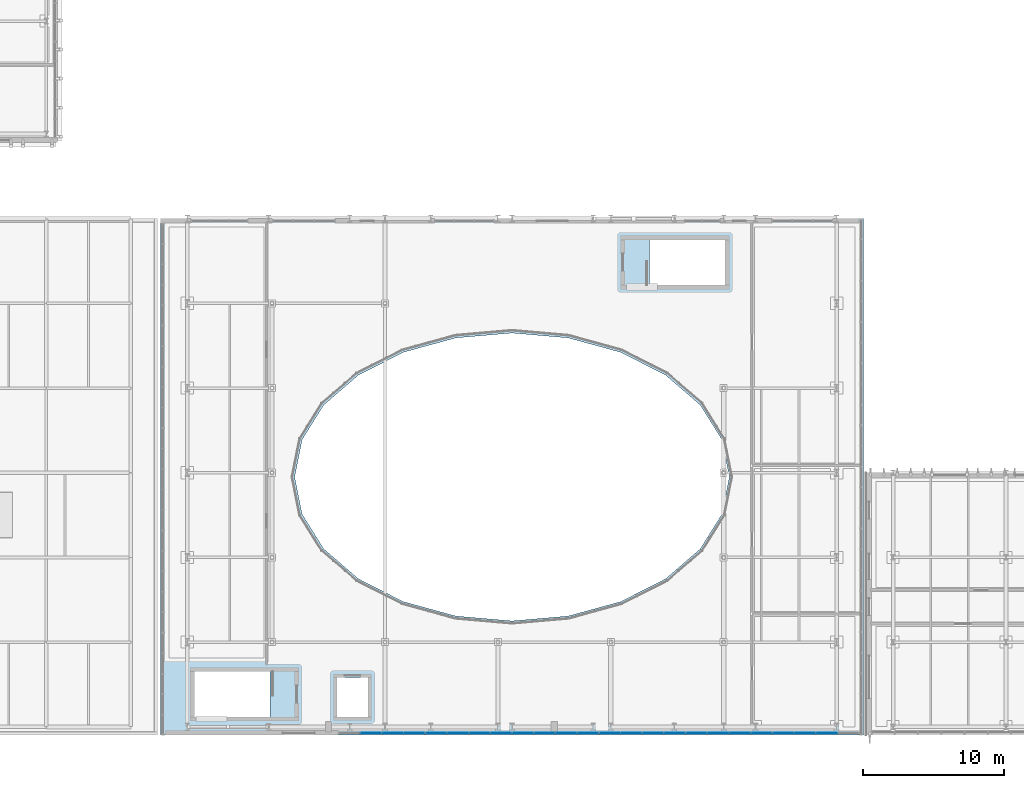
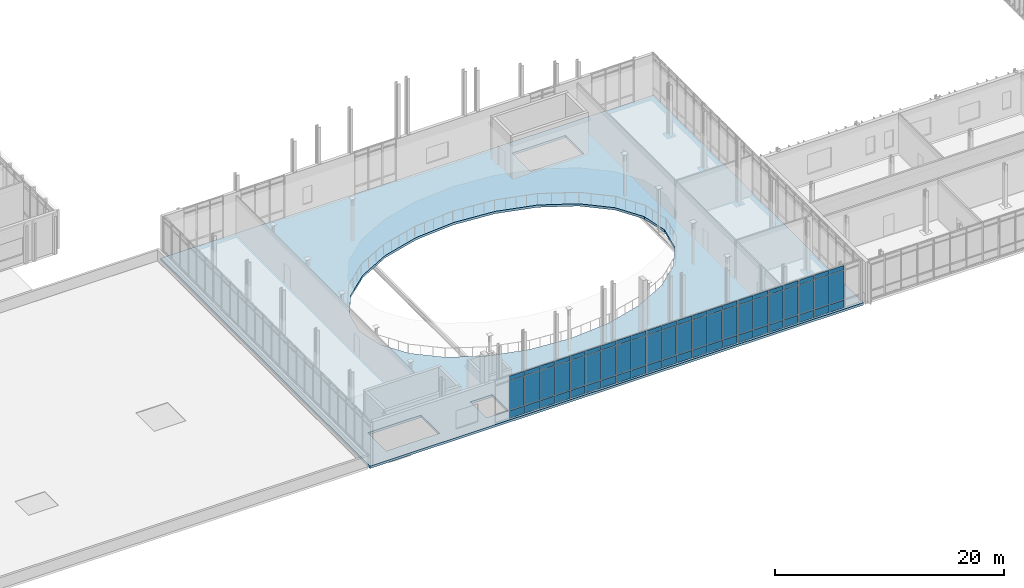
# One storey, part 47 of 86: 66 plates, 1 slab, 6 elements without a shape of their own.
"""IFC4 building model written with IfcOpenShell, lengths in metres."""

from ifc_helpers import new_model, si_unit, direction, frame, origin, origin_2d, place, context, subcontext, project, spatial, polyline, rectangle, outline, extrude, material, layer, layer_set, type_object, element, aggregate, save


model = new_model("IFC4")

# Units and contexts
model_context = context("Model", 3, precision=1e-05, world=origin(), true_north=direction((0.0, 1.0)))
body_context = subcontext(model_context, "Body", "Model", "MODEL_VIEW")
ifc_project = project(units=[si_unit("LENGTHUNIT", "METRE"), si_unit("AREAUNIT", "SQUARE_METRE"), si_unit("VOLUMEUNIT", "CUBIC_METRE"), si_unit("PLANEANGLEUNIT", "RADIAN"), si_unit("MASSUNIT", "GRAM", prefix="KILO")], contexts=[model_context])

# Site, building, storey
site_placement = place(None, origin())
site = spatial("IfcSite", under=ifc_project, at=site_placement, CompositionType="ELEMENT")
building_placement = place(site_placement, origin())
building = spatial("IfcBuilding", under=site, at=building_placement, Name="Cymarion Research Institute", CompositionType="ELEMENT")
storey_placement = place(building_placement, frame((0.0, 0.0, 13.800048828125)))
storey = spatial("IfcBuildingStorey", under=building, at=storey_placement, Name="L03", CompositionType="ELEMENT", Elevation=13.800048828125)

# Slab
ifc_material_1 = material(Name="Concrete C35/45", Category="concrete")
ifc_layer_1 = layer(ifc_material_1, 0.25)
ifc_layer_set_1 = layer_set([ifc_layer_1], Name="Concrete C35/45")
slab_type = type_object("IfcSlabType", Name="COMPOSITE FLOOR SLAB SL-FL250 250MM", PredefinedType="FLOOR", material=ifc_layer_set_1)
slab_placement = place(storey_placement, frame((0.0, 0.0, -0.25)))
element("IfcSlab", 1, at=slab_placement, inside=storey, type_object=slab_type, Name="L03 V2 floor slab", PredefinedType="FLOOR", context=body_context, shape_type="SweptSolid", body=[
    extrude(outline(polyline([(54.699951171875, 4.89990234375), (104.5, 4.89990234375), (104.5, 41.5), (54.699951171875, 41.5), (54.699951171875, 4.89990234375)]), holes=[polyline([(62.4599609375, 9.39990234375), (57.10009765625, 9.39990234375), (57.10009765625, 6.199951171875), (62.4599609375, 6.199951171875), (62.4599609375, 9.39990234375)]), polyline([(67.199951171875, 6.199951171875), (69.39990234375, 6.199951171875), (69.39990234375, 9.0), (67.199951171875, 9.0), (67.199951171875, 6.199951171875)]), polyline([(89.340087890625, 36.800048828125), (94.699951171875, 36.800048828125), (94.699951171875, 40.0), (89.340087890625, 40.0), (89.340087890625, 36.800048828125)]), polyline([(95.0, 23.199951171875), (94.475341796875, 25.840087890625), (92.936767578125, 28.300048828125), (90.489501953125, 30.41259765625), (87.300048828125, 32.033447265625), (83.585693359375, 33.052490234375), (79.60009765625, 33.39990234375), (75.6142578125, 33.052490234375), (71.89990234375, 32.033447265625), (68.710693359375, 30.41259765625), (66.26318359375, 28.300048828125), (64.724609375, 25.840087890625), (64.199951171875, 23.199951171875), (64.724609375, 20.56005859375), (66.26318359375, 18.10009765625), (68.710693359375, 15.987548828125), (71.89990234375, 14.366455078125), (75.6142578125, 13.34765625), (79.60009765625, 13.0), (83.585693359375, 13.34765625), (87.300048828125, 14.366455078125), (90.489501953125, 15.987548828125), (92.936767578125, 18.10009765625), (94.475341796875, 20.56005859375), (95.0, 23.199951171875)])]), origin(), (0.0, 0.0, 1.0), 0.25),
])

# Curtain wall, plates
ifc_material_2 = material(Name="Anodised aluminium unitised curtain wall with Low-E glazing", Category="aluminium")
curtain_wall_type = type_object("IfcCurtainWallType", Name="UNITISED CURTAIN WALL CW27 6150X4620", PredefinedType="NOTDEFINED", material=ifc_material_2)
curtain_wall_1_placement = place(storey_placement, origin())
curtain_wall_1 = element("IfcCurtainWall", 2, at=curtain_wall_1_placement, inside=storey, type_object=curtain_wall_type, Name="L03 V2 unitised curtain wall CW27 #131", PredefinedType="NOTDEFINED")
ifc_material_3 = material(Name="Insulated anodised aluminium spandrel panel", Category="aluminium")
ifc_layer_2 = layer(ifc_material_3, 0.06005859375)
ifc_layer_set_2 = layer_set([ifc_layer_2], Name="Insulated anodised aluminium spandrel panel")
plate_type_1 = type_object("IfcPlateType", Name="INSULATED ALUMINIUM SPANDREL PANEL SP01 60MM", PredefinedType="SHEET", material=ifc_layer_set_2)
plate_1_placement = place(storey_placement, frame((69.607177734375, 5.06005859375, 0.059814453125), z_axis=(0.0, 0.0, 1.0), x_axis=(1.0, 0.0, 0.0)))
plate_1 = element("IfcPlate", 3, at=plate_1_placement, type_object=plate_type_1, Name="CW27 panel 2.1", PredefinedType="SHEET", context=body_context, shape_type="SweptSolid", body=[
    extrude(rectangle(XDim=1.477294921875, YDim=0.06005859375, at=origin_2d()), origin(), (0.0, 0.0, 1.0), 0.81005859375),
])
plate_2_placement = place(storey_placement, frame((69.607177734375, 5.06005859375, 4.099853515625), z_axis=(0.0, 0.0, 1.0), x_axis=(1.0, 0.0, 0.0)))
plate_2 = element("IfcPlate", 4, at=plate_2_placement, type_object=plate_type_1, Name="CW27 panel 2.3", PredefinedType="SHEET", context=body_context, shape_type="SweptSolid", body=[
    extrude(rectangle(XDim=1.477294921875, YDim=0.06005859375, at=origin_2d()), origin(), (0.0, 0.0, 1.0), 0.4599609375),
])
plate_3_placement = place(storey_placement, frame((71.14453125, 5.06005859375, 0.059814453125), z_axis=(0.0, 0.0, 1.0), x_axis=(1.0, 0.0, 0.0)))
plate_3 = element("IfcPlate", 5, at=plate_3_placement, type_object=plate_type_1, Name="CW27 panel 3.1", PredefinedType="SHEET", context=body_context, shape_type="SweptSolid", body=[
    extrude(rectangle(XDim=1.477294921875, YDim=0.06005859375, at=origin_2d()), origin(), (0.0, 0.0, 1.0), 0.81005859375),
])
plate_4_placement = place(storey_placement, frame((71.14453125, 5.06005859375, 4.099853515625), z_axis=(0.0, 0.0, 1.0), x_axis=(1.0, 0.0, 0.0)))
plate_4 = element("IfcPlate", 6, at=plate_4_placement, type_object=plate_type_1, Name="CW27 panel 3.3", PredefinedType="SHEET", context=body_context, shape_type="SweptSolid", body=[
    extrude(rectangle(XDim=1.477294921875, YDim=0.06005859375, at=origin_2d()), origin(), (0.0, 0.0, 1.0), 0.4599609375),
])
plate_5_placement = place(storey_placement, frame((72.666748046875, 5.06005859375, 0.059814453125), z_axis=(0.0, 0.0, 1.0), x_axis=(1.0, 0.0, 0.0)))
plate_5 = element("IfcPlate", 7, at=plate_5_placement, type_object=plate_type_1, Name="CW27 panel 4.1", PredefinedType="SHEET", context=body_context, shape_type="SweptSolid", body=[
    extrude(rectangle(XDim=1.447265625, YDim=0.06005859375, at=origin_2d()), origin(), (0.0, 0.0, 1.0), 0.81005859375),
])
plate_6_placement = place(storey_placement, frame((72.666748046875, 5.06005859375, 4.099853515625), z_axis=(0.0, 0.0, 1.0), x_axis=(1.0, 0.0, 0.0)))
plate_6 = element("IfcPlate", 8, at=plate_6_placement, type_object=plate_type_1, Name="CW27 panel 4.3", PredefinedType="SHEET", context=body_context, shape_type="SweptSolid", body=[
    extrude(rectangle(XDim=1.447265625, YDim=0.06005859375, at=origin_2d()), origin(), (0.0, 0.0, 1.0), 0.4599609375),
])

curtain_wall_2_placement = place(storey_placement, origin())
curtain_wall_2 = element("IfcCurtainWall", 9, at=curtain_wall_2_placement, inside=storey, type_object=curtain_wall_type, Name="L03 V2 unitised curtain wall CW27 #132", PredefinedType="NOTDEFINED")
plate_7_placement = place(storey_placement, frame((74.234130859375, 5.06005859375, 0.059814453125), z_axis=(0.0, 0.0, 1.0), x_axis=(1.0, 0.0, 0.0)))
plate_7 = element("IfcPlate", 10, at=plate_7_placement, type_object=plate_type_1, Name="CW27 panel 1.1", PredefinedType="SHEET", context=body_context, shape_type="SweptSolid", body=[
    extrude(rectangle(XDim=1.447265625, YDim=0.06005859375, at=origin_2d()), origin(), (0.0, 0.0, 1.0), 0.81005859375),
])
plate_8_placement = place(storey_placement, frame((74.234130859375, 5.06005859375, 4.099853515625), z_axis=(0.0, 0.0, 1.0), x_axis=(1.0, 0.0, 0.0)))
plate_8 = element("IfcPlate", 11, at=plate_8_placement, type_object=plate_type_1, Name="CW27 panel 1.3", PredefinedType="SHEET", context=body_context, shape_type="SweptSolid", body=[
    extrude(rectangle(XDim=1.447265625, YDim=0.06005859375, at=origin_2d()), origin(), (0.0, 0.0, 1.0), 0.4599609375),
])
plate_9_placement = place(storey_placement, frame((75.756591796875, 5.06005859375, 0.059814453125), z_axis=(0.0, 0.0, 1.0), x_axis=(1.0, 0.0, 0.0)))
plate_9 = element("IfcPlate", 12, at=plate_9_placement, type_object=plate_type_1, Name="CW27 panel 2.1", PredefinedType="SHEET", context=body_context, shape_type="SweptSolid", body=[
    extrude(rectangle(XDim=1.477294921875, YDim=0.06005859375, at=origin_2d()), origin(), (0.0, 0.0, 1.0), 0.81005859375),
])
plate_10_placement = place(storey_placement, frame((75.756591796875, 5.06005859375, 4.099853515625), z_axis=(0.0, 0.0, 1.0), x_axis=(1.0, 0.0, 0.0)))
plate_10 = element("IfcPlate", 13, at=plate_10_placement, type_object=plate_type_1, Name="CW27 panel 2.3", PredefinedType="SHEET", context=body_context, shape_type="SweptSolid", body=[
    extrude(rectangle(XDim=1.477294921875, YDim=0.06005859375, at=origin_2d()), origin(), (0.0, 0.0, 1.0), 0.4599609375),
])
plate_11_placement = place(storey_placement, frame((77.2939453125, 5.06005859375, 0.059814453125), z_axis=(0.0, 0.0, 1.0), x_axis=(1.0, 0.0, 0.0)))
plate_11 = element("IfcPlate", 14, at=plate_11_placement, type_object=plate_type_1, Name="CW27 panel 3.1", PredefinedType="SHEET", context=body_context, shape_type="SweptSolid", body=[
    extrude(rectangle(XDim=1.477294921875, YDim=0.06005859375, at=origin_2d()), origin(), (0.0, 0.0, 1.0), 0.81005859375),
])
plate_12_placement = place(storey_placement, frame((77.2939453125, 5.06005859375, 4.099853515625), z_axis=(0.0, 0.0, 1.0), x_axis=(1.0, 0.0, 0.0)))
plate_12 = element("IfcPlate", 15, at=plate_12_placement, type_object=plate_type_1, Name="CW27 panel 3.3", PredefinedType="SHEET", context=body_context, shape_type="SweptSolid", body=[
    extrude(rectangle(XDim=1.477294921875, YDim=0.06005859375, at=origin_2d()), origin(), (0.0, 0.0, 1.0), 0.4599609375),
])
plate_13_placement = place(storey_placement, frame((78.81640625, 5.06005859375, 0.059814453125), z_axis=(0.0, 0.0, 1.0), x_axis=(1.0, 0.0, 0.0)))
plate_13 = element("IfcPlate", 16, at=plate_13_placement, type_object=plate_type_1, Name="CW27 panel 4.1", PredefinedType="SHEET", context=body_context, shape_type="SweptSolid", body=[
    extrude(rectangle(XDim=1.447265625, YDim=0.06005859375, at=origin_2d()), origin(), (0.0, 0.0, 1.0), 0.81005859375),
])
plate_14_placement = place(storey_placement, frame((78.81640625, 5.06005859375, 4.099853515625), z_axis=(0.0, 0.0, 1.0), x_axis=(1.0, 0.0, 0.0)))
plate_14 = element("IfcPlate", 17, at=plate_14_placement, type_object=plate_type_1, Name="CW27 panel 4.3", PredefinedType="SHEET", context=body_context, shape_type="SweptSolid", body=[
    extrude(rectangle(XDim=1.447265625, YDim=0.06005859375, at=origin_2d()), origin(), (0.0, 0.0, 1.0), 0.4599609375),
])

curtain_wall_3_placement = place(storey_placement, origin())
curtain_wall_3 = element("IfcCurtainWall", 18, at=curtain_wall_3_placement, inside=storey, type_object=curtain_wall_type, Name="L03 V2 unitised curtain wall CW27 #133", PredefinedType="NOTDEFINED")
plate_15_placement = place(storey_placement, frame((80.3837890625, 5.06005859375, 0.059814453125), z_axis=(0.0, 0.0, 1.0), x_axis=(1.0, 0.0, 0.0)))
plate_15 = element("IfcPlate", 19, at=plate_15_placement, type_object=plate_type_1, Name="CW27 panel 1.1", PredefinedType="SHEET", context=body_context, shape_type="SweptSolid", body=[
    extrude(rectangle(XDim=1.447265625, YDim=0.06005859375, at=origin_2d()), origin(), (0.0, 0.0, 1.0), 0.81005859375),
])
plate_16_placement = place(storey_placement, frame((80.3837890625, 5.06005859375, 4.099853515625), z_axis=(0.0, 0.0, 1.0), x_axis=(1.0, 0.0, 0.0)))
plate_16 = element("IfcPlate", 20, at=plate_16_placement, type_object=plate_type_1, Name="CW27 panel 1.3", PredefinedType="SHEET", context=body_context, shape_type="SweptSolid", body=[
    extrude(rectangle(XDim=1.447265625, YDim=0.06005859375, at=origin_2d()), origin(), (0.0, 0.0, 1.0), 0.4599609375),
])
plate_17_placement = place(storey_placement, frame((81.906005859375, 5.06005859375, 0.059814453125), z_axis=(0.0, 0.0, 1.0), x_axis=(1.0, 0.0, 0.0)))
plate_17 = element("IfcPlate", 21, at=plate_17_placement, type_object=plate_type_1, Name="CW27 panel 2.1", PredefinedType="SHEET", context=body_context, shape_type="SweptSolid", body=[
    extrude(rectangle(XDim=1.477294921875, YDim=0.06005859375, at=origin_2d()), origin(), (0.0, 0.0, 1.0), 0.81005859375),
])
plate_18_placement = place(storey_placement, frame((81.906005859375, 5.06005859375, 4.099853515625), z_axis=(0.0, 0.0, 1.0), x_axis=(1.0, 0.0, 0.0)))
plate_18 = element("IfcPlate", 22, at=plate_18_placement, type_object=plate_type_1, Name="CW27 panel 2.3", PredefinedType="SHEET", context=body_context, shape_type="SweptSolid", body=[
    extrude(rectangle(XDim=1.477294921875, YDim=0.06005859375, at=origin_2d()), origin(), (0.0, 0.0, 1.0), 0.4599609375),
])
plate_19_placement = place(storey_placement, frame((83.443359375, 5.06005859375, 0.059814453125), z_axis=(0.0, 0.0, 1.0), x_axis=(1.0, 0.0, 0.0)))
plate_19 = element("IfcPlate", 23, at=plate_19_placement, type_object=plate_type_1, Name="CW27 panel 3.1", PredefinedType="SHEET", context=body_context, shape_type="SweptSolid", body=[
    extrude(rectangle(XDim=1.477294921875, YDim=0.06005859375, at=origin_2d()), origin(), (0.0, 0.0, 1.0), 0.81005859375),
])
plate_20_placement = place(storey_placement, frame((83.443359375, 5.06005859375, 4.099853515625), z_axis=(0.0, 0.0, 1.0), x_axis=(1.0, 0.0, 0.0)))
plate_20 = element("IfcPlate", 24, at=plate_20_placement, type_object=plate_type_1, Name="CW27 panel 3.3", PredefinedType="SHEET", context=body_context, shape_type="SweptSolid", body=[
    extrude(rectangle(XDim=1.477294921875, YDim=0.06005859375, at=origin_2d()), origin(), (0.0, 0.0, 1.0), 0.4599609375),
])
plate_21_placement = place(storey_placement, frame((84.9658203125, 5.06005859375, 0.059814453125), z_axis=(0.0, 0.0, 1.0), x_axis=(1.0, 0.0, 0.0)))
plate_21 = element("IfcPlate", 25, at=plate_21_placement, type_object=plate_type_1, Name="CW27 panel 4.1", PredefinedType="SHEET", context=body_context, shape_type="SweptSolid", body=[
    extrude(rectangle(XDim=1.447265625, YDim=0.06005859375, at=origin_2d()), origin(), (0.0, 0.0, 1.0), 0.81005859375),
])
plate_22_placement = place(storey_placement, frame((84.9658203125, 5.06005859375, 4.099853515625), z_axis=(0.0, 0.0, 1.0), x_axis=(1.0, 0.0, 0.0)))
plate_22 = element("IfcPlate", 26, at=plate_22_placement, type_object=plate_type_1, Name="CW27 panel 4.3", PredefinedType="SHEET", context=body_context, shape_type="SweptSolid", body=[
    extrude(rectangle(XDim=1.447265625, YDim=0.06005859375, at=origin_2d()), origin(), (0.0, 0.0, 1.0), 0.4599609375),
])

curtain_wall_4_placement = place(storey_placement, origin())
curtain_wall_4 = element("IfcCurtainWall", 27, at=curtain_wall_4_placement, inside=storey, type_object=curtain_wall_type, Name="L03 V2 unitised curtain wall CW27 #134", PredefinedType="NOTDEFINED")
plate_23_placement = place(storey_placement, frame((86.533203125, 5.06005859375, 0.059814453125), z_axis=(0.0, 0.0, 1.0), x_axis=(1.0, 0.0, 0.0)))
plate_23 = element("IfcPlate", 28, at=plate_23_placement, type_object=plate_type_1, Name="CW27 panel 1.1", PredefinedType="SHEET", context=body_context, shape_type="SweptSolid", body=[
    extrude(rectangle(XDim=1.447265625, YDim=0.06005859375, at=origin_2d()), origin(), (0.0, 0.0, 1.0), 0.81005859375),
])
plate_24_placement = place(storey_placement, frame((86.533203125, 5.06005859375, 4.099853515625), z_axis=(0.0, 0.0, 1.0), x_axis=(1.0, 0.0, 0.0)))
plate_24 = element("IfcPlate", 29, at=plate_24_placement, type_object=plate_type_1, Name="CW27 panel 1.3", PredefinedType="SHEET", context=body_context, shape_type="SweptSolid", body=[
    extrude(rectangle(XDim=1.447265625, YDim=0.06005859375, at=origin_2d()), origin(), (0.0, 0.0, 1.0), 0.4599609375),
])
plate_25_placement = place(storey_placement, frame((88.0556640625, 5.06005859375, 0.059814453125), z_axis=(0.0, 0.0, 1.0), x_axis=(1.0, 0.0, 0.0)))
plate_25 = element("IfcPlate", 30, at=plate_25_placement, type_object=plate_type_1, Name="CW27 panel 2.1", PredefinedType="SHEET", context=body_context, shape_type="SweptSolid", body=[
    extrude(rectangle(XDim=1.477294921875, YDim=0.06005859375, at=origin_2d()), origin(), (0.0, 0.0, 1.0), 0.81005859375),
])
plate_26_placement = place(storey_placement, frame((88.0556640625, 5.06005859375, 4.099853515625), z_axis=(0.0, 0.0, 1.0), x_axis=(1.0, 0.0, 0.0)))
plate_26 = element("IfcPlate", 31, at=plate_26_placement, type_object=plate_type_1, Name="CW27 panel 2.3", PredefinedType="SHEET", context=body_context, shape_type="SweptSolid", body=[
    extrude(rectangle(XDim=1.477294921875, YDim=0.06005859375, at=origin_2d()), origin(), (0.0, 0.0, 1.0), 0.4599609375),
])
plate_27_placement = place(storey_placement, frame((89.593017578125, 5.06005859375, 0.059814453125), z_axis=(0.0, 0.0, 1.0), x_axis=(1.0, 0.0, 0.0)))
plate_27 = element("IfcPlate", 32, at=plate_27_placement, type_object=plate_type_1, Name="CW27 panel 3.1", PredefinedType="SHEET", context=body_context, shape_type="SweptSolid", body=[
    extrude(rectangle(XDim=1.477294921875, YDim=0.06005859375, at=origin_2d()), origin(), (0.0, 0.0, 1.0), 0.81005859375),
])
plate_28_placement = place(storey_placement, frame((89.593017578125, 5.06005859375, 4.099853515625), z_axis=(0.0, 0.0, 1.0), x_axis=(1.0, 0.0, 0.0)))
plate_28 = element("IfcPlate", 33, at=plate_28_placement, type_object=plate_type_1, Name="CW27 panel 3.3", PredefinedType="SHEET", context=body_context, shape_type="SweptSolid", body=[
    extrude(rectangle(XDim=1.477294921875, YDim=0.06005859375, at=origin_2d()), origin(), (0.0, 0.0, 1.0), 0.4599609375),
])
plate_29_placement = place(storey_placement, frame((91.115234375, 5.06005859375, 0.059814453125), z_axis=(0.0, 0.0, 1.0), x_axis=(1.0, 0.0, 0.0)))
plate_29 = element("IfcPlate", 34, at=plate_29_placement, type_object=plate_type_1, Name="CW27 panel 4.1", PredefinedType="SHEET", context=body_context, shape_type="SweptSolid", body=[
    extrude(rectangle(XDim=1.447265625, YDim=0.06005859375, at=origin_2d()), origin(), (0.0, 0.0, 1.0), 0.81005859375),
])
plate_30_placement = place(storey_placement, frame((91.115234375, 5.06005859375, 4.099853515625), z_axis=(0.0, 0.0, 1.0), x_axis=(1.0, 0.0, 0.0)))
plate_30 = element("IfcPlate", 35, at=plate_30_placement, type_object=plate_type_1, Name="CW27 panel 4.3", PredefinedType="SHEET", context=body_context, shape_type="SweptSolid", body=[
    extrude(rectangle(XDim=1.447265625, YDim=0.06005859375, at=origin_2d()), origin(), (0.0, 0.0, 1.0), 0.4599609375),
])

curtain_wall_5_placement = place(storey_placement, origin())
curtain_wall_5 = element("IfcCurtainWall", 36, at=curtain_wall_5_placement, inside=storey, type_object=curtain_wall_type, Name="L03 V2 unitised curtain wall CW27 #135", PredefinedType="NOTDEFINED")
plate_31_placement = place(storey_placement, frame((92.6826171875, 5.06005859375, 0.059814453125), z_axis=(0.0, 0.0, 1.0), x_axis=(1.0, 0.0, 0.0)))
plate_31 = element("IfcPlate", 37, at=plate_31_placement, type_object=plate_type_1, Name="CW27 panel 1.1", PredefinedType="SHEET", context=body_context, shape_type="SweptSolid", body=[
    extrude(rectangle(XDim=1.447265625, YDim=0.06005859375, at=origin_2d()), origin(), (0.0, 0.0, 1.0), 0.81005859375),
])
plate_32_placement = place(storey_placement, frame((92.6826171875, 5.06005859375, 4.099853515625), z_axis=(0.0, 0.0, 1.0), x_axis=(1.0, 0.0, 0.0)))
plate_32 = element("IfcPlate", 38, at=plate_32_placement, type_object=plate_type_1, Name="CW27 panel 1.3", PredefinedType="SHEET", context=body_context, shape_type="SweptSolid", body=[
    extrude(rectangle(XDim=1.447265625, YDim=0.06005859375, at=origin_2d()), origin(), (0.0, 0.0, 1.0), 0.4599609375),
])
plate_33_placement = place(storey_placement, frame((94.205078125, 5.06005859375, 0.059814453125), z_axis=(0.0, 0.0, 1.0), x_axis=(1.0, 0.0, 0.0)))
plate_33 = element("IfcPlate", 39, at=plate_33_placement, type_object=plate_type_1, Name="CW27 panel 2.1", PredefinedType="SHEET", context=body_context, shape_type="SweptSolid", body=[
    extrude(rectangle(XDim=1.477294921875, YDim=0.06005859375, at=origin_2d()), origin(), (0.0, 0.0, 1.0), 0.81005859375),
])
plate_34_placement = place(storey_placement, frame((94.205078125, 5.06005859375, 4.099853515625), z_axis=(0.0, 0.0, 1.0), x_axis=(1.0, 0.0, 0.0)))
plate_34 = element("IfcPlate", 40, at=plate_34_placement, type_object=plate_type_1, Name="CW27 panel 2.3", PredefinedType="SHEET", context=body_context, shape_type="SweptSolid", body=[
    extrude(rectangle(XDim=1.477294921875, YDim=0.06005859375, at=origin_2d()), origin(), (0.0, 0.0, 1.0), 0.4599609375),
])
plate_35_placement = place(storey_placement, frame((95.742431640625, 5.06005859375, 0.059814453125), z_axis=(0.0, 0.0, 1.0), x_axis=(1.0, 0.0, 0.0)))
plate_35 = element("IfcPlate", 41, at=plate_35_placement, type_object=plate_type_1, Name="CW27 panel 3.1", PredefinedType="SHEET", context=body_context, shape_type="SweptSolid", body=[
    extrude(rectangle(XDim=1.477294921875, YDim=0.06005859375, at=origin_2d()), origin(), (0.0, 0.0, 1.0), 0.81005859375),
])
plate_36_placement = place(storey_placement, frame((95.742431640625, 5.06005859375, 4.099853515625), z_axis=(0.0, 0.0, 1.0), x_axis=(1.0, 0.0, 0.0)))
plate_36 = element("IfcPlate", 42, at=plate_36_placement, type_object=plate_type_1, Name="CW27 panel 3.3", PredefinedType="SHEET", context=body_context, shape_type="SweptSolid", body=[
    extrude(rectangle(XDim=1.477294921875, YDim=0.06005859375, at=origin_2d()), origin(), (0.0, 0.0, 1.0), 0.4599609375),
])
plate_37_placement = place(storey_placement, frame((97.264892578125, 5.06005859375, 0.059814453125), z_axis=(0.0, 0.0, 1.0), x_axis=(1.0, 0.0, 0.0)))
plate_37 = element("IfcPlate", 43, at=plate_37_placement, type_object=plate_type_1, Name="CW27 panel 4.1", PredefinedType="SHEET", context=body_context, shape_type="SweptSolid", body=[
    extrude(rectangle(XDim=1.447265625, YDim=0.06005859375, at=origin_2d()), origin(), (0.0, 0.0, 1.0), 0.81005859375),
])
plate_38_placement = place(storey_placement, frame((97.264892578125, 5.06005859375, 4.099853515625), z_axis=(0.0, 0.0, 1.0), x_axis=(1.0, 0.0, 0.0)))
plate_38 = element("IfcPlate", 44, at=plate_38_placement, type_object=plate_type_1, Name="CW27 panel 4.3", PredefinedType="SHEET", context=body_context, shape_type="SweptSolid", body=[
    extrude(rectangle(XDim=1.447265625, YDim=0.06005859375, at=origin_2d()), origin(), (0.0, 0.0, 1.0), 0.4599609375),
])

curtain_wall_6_placement = place(storey_placement, origin())
curtain_wall_6 = element("IfcCurtainWall", 45, at=curtain_wall_6_placement, inside=storey, type_object=curtain_wall_type, Name="L03 V2 unitised curtain wall CW27 #136", PredefinedType="NOTDEFINED")
plate_39_placement = place(storey_placement, frame((98.832275390625, 5.06005859375, 0.059814453125), z_axis=(0.0, 0.0, 1.0), x_axis=(1.0, 0.0, 0.0)))
plate_39 = element("IfcPlate", 46, at=plate_39_placement, type_object=plate_type_1, Name="CW27 panel 1.1", PredefinedType="SHEET", context=body_context, shape_type="SweptSolid", body=[
    extrude(rectangle(XDim=1.447265625, YDim=0.06005859375, at=origin_2d()), origin(), (0.0, 0.0, 1.0), 0.81005859375),
])
plate_40_placement = place(storey_placement, frame((98.832275390625, 5.06005859375, 4.099853515625), z_axis=(0.0, 0.0, 1.0), x_axis=(1.0, 0.0, 0.0)))
plate_40 = element("IfcPlate", 47, at=plate_40_placement, type_object=plate_type_1, Name="CW27 panel 1.3", PredefinedType="SHEET", context=body_context, shape_type="SweptSolid", body=[
    extrude(rectangle(XDim=1.447265625, YDim=0.06005859375, at=origin_2d()), origin(), (0.0, 0.0, 1.0), 0.4599609375),
])
plate_41_placement = place(storey_placement, frame((100.3544921875, 5.06005859375, 0.059814453125), z_axis=(0.0, 0.0, 1.0), x_axis=(1.0, 0.0, 0.0)))
plate_41 = element("IfcPlate", 48, at=plate_41_placement, type_object=plate_type_1, Name="CW27 panel 2.1", PredefinedType="SHEET", context=body_context, shape_type="SweptSolid", body=[
    extrude(rectangle(XDim=1.477294921875, YDim=0.06005859375, at=origin_2d()), origin(), (0.0, 0.0, 1.0), 0.81005859375),
])
plate_42_placement = place(storey_placement, frame((100.3544921875, 5.06005859375, 4.099853515625), z_axis=(0.0, 0.0, 1.0), x_axis=(1.0, 0.0, 0.0)))
plate_42 = element("IfcPlate", 49, at=plate_42_placement, type_object=plate_type_1, Name="CW27 panel 2.3", PredefinedType="SHEET", context=body_context, shape_type="SweptSolid", body=[
    extrude(rectangle(XDim=1.477294921875, YDim=0.06005859375, at=origin_2d()), origin(), (0.0, 0.0, 1.0), 0.4599609375),
])
plate_43_placement = place(storey_placement, frame((101.891845703125, 5.06005859375, 0.059814453125), z_axis=(0.0, 0.0, 1.0), x_axis=(1.0, 0.0, 0.0)))
plate_43 = element("IfcPlate", 50, at=plate_43_placement, type_object=plate_type_1, Name="CW27 panel 3.1", PredefinedType="SHEET", context=body_context, shape_type="SweptSolid", body=[
    extrude(rectangle(XDim=1.477294921875, YDim=0.06005859375, at=origin_2d()), origin(), (0.0, 0.0, 1.0), 0.81005859375),
])
plate_44_placement = place(storey_placement, frame((101.891845703125, 5.06005859375, 4.099853515625), z_axis=(0.0, 0.0, 1.0), x_axis=(1.0, 0.0, 0.0)))
plate_44 = element("IfcPlate", 51, at=plate_44_placement, type_object=plate_type_1, Name="CW27 panel 3.3", PredefinedType="SHEET", context=body_context, shape_type="SweptSolid", body=[
    extrude(rectangle(XDim=1.477294921875, YDim=0.06005859375, at=origin_2d()), origin(), (0.0, 0.0, 1.0), 0.4599609375),
])

# Plate
ifc_material_4 = material(Name="Low-E double solar-control glazing", Category="glass")
ifc_layer_3 = layer(ifc_material_4, 0.035888671875)
ifc_layer_set_3 = layer_set([ifc_layer_3], Name="Low-E double solar-control glazing")
plate_type_2 = type_object("IfcPlateType", Name="SOLAR CONTROL GLAZED VISION PANEL GP01 36MM", PredefinedType="CURTAIN_PANEL", material=ifc_layer_set_3)
plate_45_placement = place(storey_placement, frame((69.607177734375, 5.06005859375, 0.9296875), z_axis=(0.0, 0.0, 1.0), x_axis=(1.0, 0.0, 0.0)))
plate_45 = element("IfcPlate", 52, at=plate_45_placement, type_object=plate_type_2, Name="CW27 panel 2.2", PredefinedType="CURTAIN_PANEL", context=body_context, shape_type="SweptSolid", body=[
    extrude(rectangle(XDim=1.477294921875, YDim=0.035888671875, at=origin_2d()), origin(), (0.0, 0.0, 1.0), 3.110107421875),
])

plate_46_placement = place(storey_placement, frame((71.14453125, 5.06005859375, 0.9296875), z_axis=(0.0, 0.0, 1.0), x_axis=(1.0, 0.0, 0.0)))
plate_46 = element("IfcPlate", 53, at=plate_46_placement, type_object=plate_type_2, Name="CW27 panel 3.2", PredefinedType="CURTAIN_PANEL", context=body_context, shape_type="SweptSolid", body=[
    extrude(rectangle(XDim=1.477294921875, YDim=0.035888671875, at=origin_2d()), origin(), (0.0, 0.0, 1.0), 3.110107421875),
])

plate_47_placement = place(storey_placement, frame((72.666748046875, 5.06005859375, 0.9296875), z_axis=(0.0, 0.0, 1.0), x_axis=(1.0, 0.0, 0.0)))
plate_47 = element("IfcPlate", 54, at=plate_47_placement, type_object=plate_type_2, Name="CW27 panel 4.2", PredefinedType="CURTAIN_PANEL", context=body_context, shape_type="SweptSolid", body=[
    extrude(rectangle(XDim=1.447265625, YDim=0.035888671875, at=origin_2d()), origin(), (0.0, 0.0, 1.0), 3.110107421875),
])

aggregate(curtain_wall_1, [plate_1, plate_45, plate_2, plate_3, plate_46, plate_4, plate_5, plate_47, plate_6])

plate_48_placement = place(storey_placement, frame((74.234130859375, 5.06005859375, 0.9296875), z_axis=(0.0, 0.0, 1.0), x_axis=(1.0, 0.0, 0.0)))
plate_48 = element("IfcPlate", 55, at=plate_48_placement, type_object=plate_type_2, Name="CW27 panel 1.2", PredefinedType="CURTAIN_PANEL", context=body_context, shape_type="SweptSolid", body=[
    extrude(rectangle(XDim=1.447265625, YDim=0.035888671875, at=origin_2d()), origin(), (0.0, 0.0, 1.0), 3.110107421875),
])

plate_49_placement = place(storey_placement, frame((75.756591796875, 5.06005859375, 0.9296875), z_axis=(0.0, 0.0, 1.0), x_axis=(1.0, 0.0, 0.0)))
plate_49 = element("IfcPlate", 56, at=plate_49_placement, type_object=plate_type_2, Name="CW27 panel 2.2", PredefinedType="CURTAIN_PANEL", context=body_context, shape_type="SweptSolid", body=[
    extrude(rectangle(XDim=1.477294921875, YDim=0.035888671875, at=origin_2d()), origin(), (0.0, 0.0, 1.0), 3.110107421875),
])

plate_50_placement = place(storey_placement, frame((77.2939453125, 5.06005859375, 0.9296875), z_axis=(0.0, 0.0, 1.0), x_axis=(1.0, 0.0, 0.0)))
plate_50 = element("IfcPlate", 57, at=plate_50_placement, type_object=plate_type_2, Name="CW27 panel 3.2", PredefinedType="CURTAIN_PANEL", context=body_context, shape_type="SweptSolid", body=[
    extrude(rectangle(XDim=1.477294921875, YDim=0.035888671875, at=origin_2d()), origin(), (0.0, 0.0, 1.0), 3.110107421875),
])

plate_51_placement = place(storey_placement, frame((78.81640625, 5.06005859375, 0.9296875), z_axis=(0.0, 0.0, 1.0), x_axis=(1.0, 0.0, 0.0)))
plate_51 = element("IfcPlate", 58, at=plate_51_placement, type_object=plate_type_2, Name="CW27 panel 4.2", PredefinedType="CURTAIN_PANEL", context=body_context, shape_type="SweptSolid", body=[
    extrude(rectangle(XDim=1.447265625, YDim=0.035888671875, at=origin_2d()), origin(), (0.0, 0.0, 1.0), 3.110107421875),
])

aggregate(curtain_wall_2, [plate_7, plate_48, plate_8, plate_9, plate_49, plate_10, plate_11, plate_50, plate_12, plate_13, plate_51, plate_14])

plate_52_placement = place(storey_placement, frame((80.3837890625, 5.06005859375, 0.9296875), z_axis=(0.0, 0.0, 1.0), x_axis=(1.0, 0.0, 0.0)))
plate_52 = element("IfcPlate", 59, at=plate_52_placement, type_object=plate_type_2, Name="CW27 panel 1.2", PredefinedType="CURTAIN_PANEL", context=body_context, shape_type="SweptSolid", body=[
    extrude(rectangle(XDim=1.447265625, YDim=0.035888671875, at=origin_2d()), origin(), (0.0, 0.0, 1.0), 3.110107421875),
])

plate_53_placement = place(storey_placement, frame((81.906005859375, 5.06005859375, 0.9296875), z_axis=(0.0, 0.0, 1.0), x_axis=(1.0, 0.0, 0.0)))
plate_53 = element("IfcPlate", 60, at=plate_53_placement, type_object=plate_type_2, Name="CW27 panel 2.2", PredefinedType="CURTAIN_PANEL", context=body_context, shape_type="SweptSolid", body=[
    extrude(rectangle(XDim=1.477294921875, YDim=0.035888671875, at=origin_2d()), origin(), (0.0, 0.0, 1.0), 3.110107421875),
])

plate_54_placement = place(storey_placement, frame((83.443359375, 5.06005859375, 0.9296875), z_axis=(0.0, 0.0, 1.0), x_axis=(1.0, 0.0, 0.0)))
plate_54 = element("IfcPlate", 61, at=plate_54_placement, type_object=plate_type_2, Name="CW27 panel 3.2", PredefinedType="CURTAIN_PANEL", context=body_context, shape_type="SweptSolid", body=[
    extrude(rectangle(XDim=1.477294921875, YDim=0.035888671875, at=origin_2d()), origin(), (0.0, 0.0, 1.0), 3.110107421875),
])

plate_55_placement = place(storey_placement, frame((84.9658203125, 5.06005859375, 0.9296875), z_axis=(0.0, 0.0, 1.0), x_axis=(1.0, 0.0, 0.0)))
plate_55 = element("IfcPlate", 62, at=plate_55_placement, type_object=plate_type_2, Name="CW27 panel 4.2", PredefinedType="CURTAIN_PANEL", context=body_context, shape_type="SweptSolid", body=[
    extrude(rectangle(XDim=1.447265625, YDim=0.035888671875, at=origin_2d()), origin(), (0.0, 0.0, 1.0), 3.110107421875),
])

aggregate(curtain_wall_3, [plate_15, plate_52, plate_16, plate_17, plate_53, plate_18, plate_19, plate_54, plate_20, plate_21, plate_55, plate_22])

plate_56_placement = place(storey_placement, frame((86.533203125, 5.06005859375, 0.9296875), z_axis=(0.0, 0.0, 1.0), x_axis=(1.0, 0.0, 0.0)))
plate_56 = element("IfcPlate", 63, at=plate_56_placement, type_object=plate_type_2, Name="CW27 panel 1.2", PredefinedType="CURTAIN_PANEL", context=body_context, shape_type="SweptSolid", body=[
    extrude(rectangle(XDim=1.447265625, YDim=0.035888671875, at=origin_2d()), origin(), (0.0, 0.0, 1.0), 3.110107421875),
])

plate_57_placement = place(storey_placement, frame((88.0556640625, 5.06005859375, 0.9296875), z_axis=(0.0, 0.0, 1.0), x_axis=(1.0, 0.0, 0.0)))
plate_57 = element("IfcPlate", 64, at=plate_57_placement, type_object=plate_type_2, Name="CW27 panel 2.2", PredefinedType="CURTAIN_PANEL", context=body_context, shape_type="SweptSolid", body=[
    extrude(rectangle(XDim=1.477294921875, YDim=0.035888671875, at=origin_2d()), origin(), (0.0, 0.0, 1.0), 3.110107421875),
])

plate_58_placement = place(storey_placement, frame((89.593017578125, 5.06005859375, 0.9296875), z_axis=(0.0, 0.0, 1.0), x_axis=(1.0, 0.0, 0.0)))
plate_58 = element("IfcPlate", 65, at=plate_58_placement, type_object=plate_type_2, Name="CW27 panel 3.2", PredefinedType="CURTAIN_PANEL", context=body_context, shape_type="SweptSolid", body=[
    extrude(rectangle(XDim=1.477294921875, YDim=0.035888671875, at=origin_2d()), origin(), (0.0, 0.0, 1.0), 3.110107421875),
])

plate_59_placement = place(storey_placement, frame((91.115234375, 5.06005859375, 0.9296875), z_axis=(0.0, 0.0, 1.0), x_axis=(1.0, 0.0, 0.0)))
plate_59 = element("IfcPlate", 66, at=plate_59_placement, type_object=plate_type_2, Name="CW27 panel 4.2", PredefinedType="CURTAIN_PANEL", context=body_context, shape_type="SweptSolid", body=[
    extrude(rectangle(XDim=1.447265625, YDim=0.035888671875, at=origin_2d()), origin(), (0.0, 0.0, 1.0), 3.110107421875),
])

aggregate(curtain_wall_4, [plate_23, plate_56, plate_24, plate_25, plate_57, plate_26, plate_27, plate_58, plate_28, plate_29, plate_59, plate_30])

plate_60_placement = place(storey_placement, frame((92.6826171875, 5.06005859375, 0.9296875), z_axis=(0.0, 0.0, 1.0), x_axis=(1.0, 0.0, 0.0)))
plate_60 = element("IfcPlate", 67, at=plate_60_placement, type_object=plate_type_2, Name="CW27 panel 1.2", PredefinedType="CURTAIN_PANEL", context=body_context, shape_type="SweptSolid", body=[
    extrude(rectangle(XDim=1.447265625, YDim=0.035888671875, at=origin_2d()), origin(), (0.0, 0.0, 1.0), 3.110107421875),
])

plate_61_placement = place(storey_placement, frame((94.205078125, 5.06005859375, 0.9296875), z_axis=(0.0, 0.0, 1.0), x_axis=(1.0, 0.0, 0.0)))
plate_61 = element("IfcPlate", 68, at=plate_61_placement, type_object=plate_type_2, Name="CW27 panel 2.2", PredefinedType="CURTAIN_PANEL", context=body_context, shape_type="SweptSolid", body=[
    extrude(rectangle(XDim=1.477294921875, YDim=0.035888671875, at=origin_2d()), origin(), (0.0, 0.0, 1.0), 3.110107421875),
])

plate_62_placement = place(storey_placement, frame((95.742431640625, 5.06005859375, 0.9296875), z_axis=(0.0, 0.0, 1.0), x_axis=(1.0, 0.0, 0.0)))
plate_62 = element("IfcPlate", 69, at=plate_62_placement, type_object=plate_type_2, Name="CW27 panel 3.2", PredefinedType="CURTAIN_PANEL", context=body_context, shape_type="SweptSolid", body=[
    extrude(rectangle(XDim=1.477294921875, YDim=0.035888671875, at=origin_2d()), origin(), (0.0, 0.0, 1.0), 3.110107421875),
])

plate_63_placement = place(storey_placement, frame((97.264892578125, 5.06005859375, 0.9296875), z_axis=(0.0, 0.0, 1.0), x_axis=(1.0, 0.0, 0.0)))
plate_63 = element("IfcPlate", 70, at=plate_63_placement, type_object=plate_type_2, Name="CW27 panel 4.2", PredefinedType="CURTAIN_PANEL", context=body_context, shape_type="SweptSolid", body=[
    extrude(rectangle(XDim=1.447265625, YDim=0.035888671875, at=origin_2d()), origin(), (0.0, 0.0, 1.0), 3.110107421875),
])

aggregate(curtain_wall_5, [plate_31, plate_60, plate_32, plate_33, plate_61, plate_34, plate_35, plate_62, plate_36, plate_37, plate_63, plate_38])

plate_64_placement = place(storey_placement, frame((98.832275390625, 5.06005859375, 0.9296875), z_axis=(0.0, 0.0, 1.0), x_axis=(1.0, 0.0, 0.0)))
plate_64 = element("IfcPlate", 71, at=plate_64_placement, type_object=plate_type_2, Name="CW27 panel 1.2", PredefinedType="CURTAIN_PANEL", context=body_context, shape_type="SweptSolid", body=[
    extrude(rectangle(XDim=1.447265625, YDim=0.035888671875, at=origin_2d()), origin(), (0.0, 0.0, 1.0), 3.110107421875),
])

plate_65_placement = place(storey_placement, frame((100.3544921875, 5.06005859375, 0.9296875), z_axis=(0.0, 0.0, 1.0), x_axis=(1.0, 0.0, 0.0)))
plate_65 = element("IfcPlate", 72, at=plate_65_placement, type_object=plate_type_2, Name="CW27 panel 2.2", PredefinedType="CURTAIN_PANEL", context=body_context, shape_type="SweptSolid", body=[
    extrude(rectangle(XDim=1.477294921875, YDim=0.035888671875, at=origin_2d()), origin(), (0.0, 0.0, 1.0), 3.110107421875),
])

plate_66_placement = place(storey_placement, frame((101.891845703125, 5.06005859375, 0.9296875), z_axis=(0.0, 0.0, 1.0), x_axis=(1.0, 0.0, 0.0)))
plate_66 = element("IfcPlate", 73, at=plate_66_placement, type_object=plate_type_2, Name="CW27 panel 3.2", PredefinedType="CURTAIN_PANEL", context=body_context, shape_type="SweptSolid", body=[
    extrude(rectangle(XDim=1.477294921875, YDim=0.035888671875, at=origin_2d()), origin(), (0.0, 0.0, 1.0), 3.110107421875),
])

aggregate(curtain_wall_6, [plate_39, plate_64, plate_40, plate_41, plate_65, plate_42, plate_43, plate_66, plate_44])

save(model, "model.ifc")
